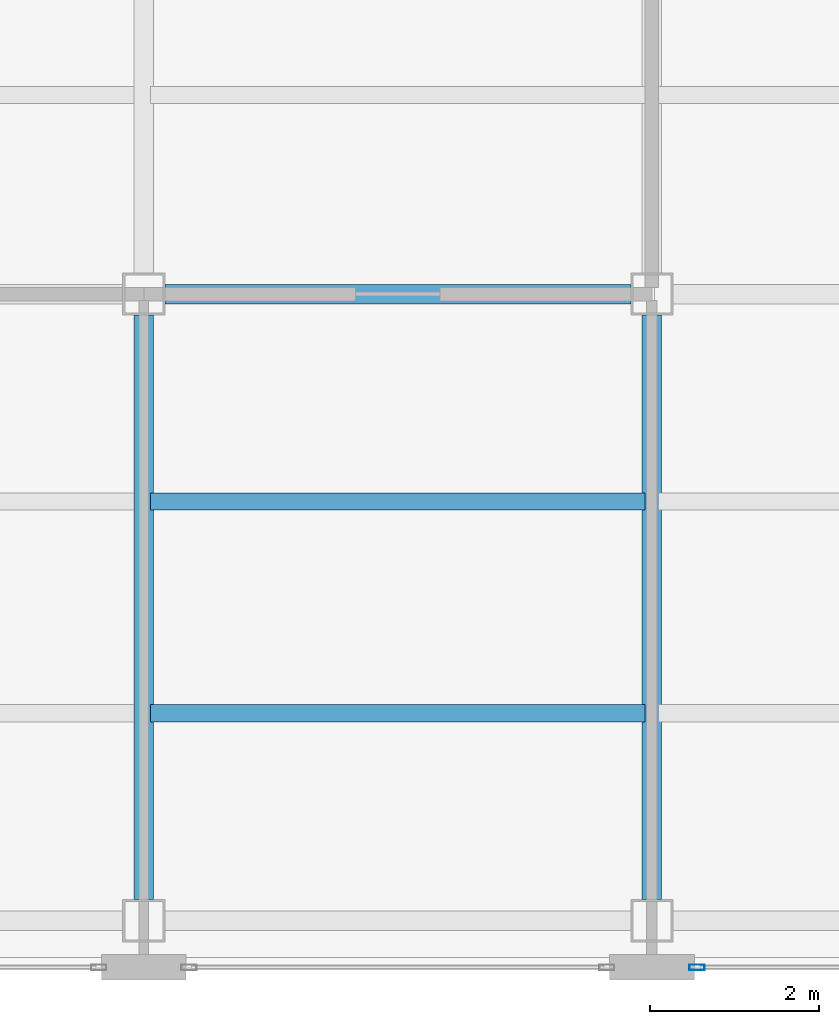
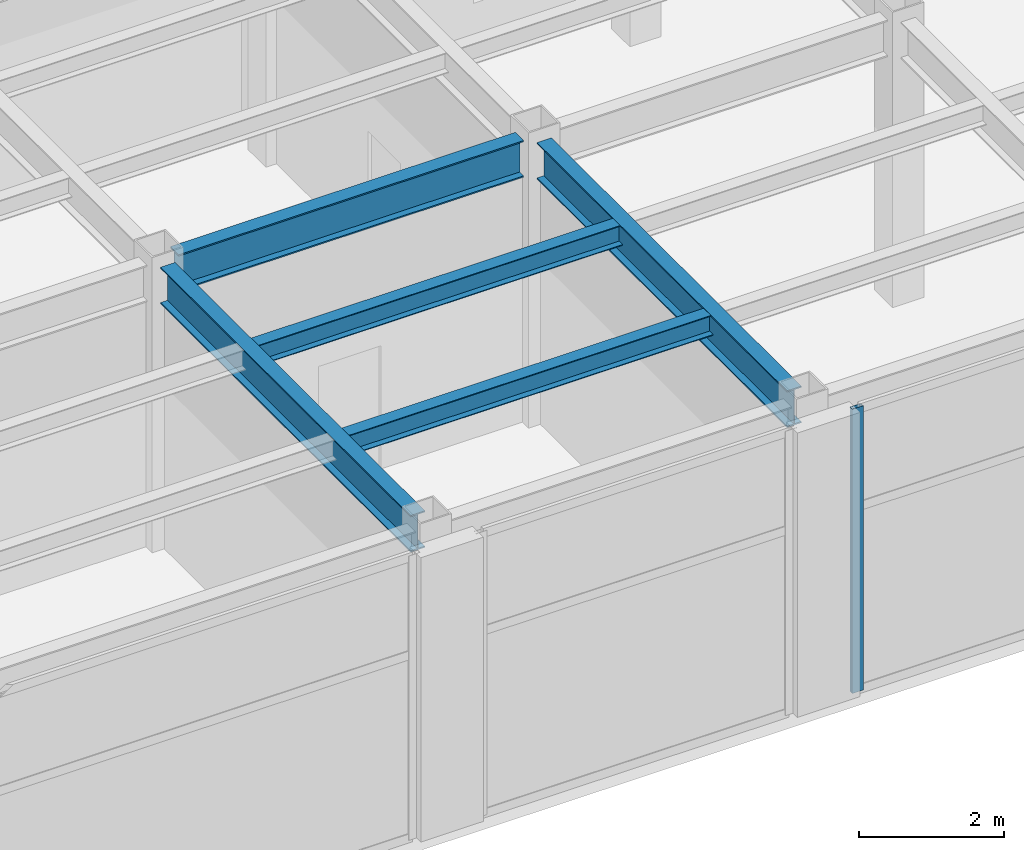
# One storey, part 5 of 23: 5 beams, 1 member, 1 element without a shape of its own.
"""IFC4 building model written with IfcOpenShell, lengths in metres."""

import ifcopenshell
import ifcopenshell.guid

model = None  # the IFC model being written
_history = None  # IfcOwnerHistory: only IFC2X3 demands one
_inside = {}  # id of a spatial element -> (the spatial element, [elements in it])
_under = {}  # id of a project, library or spatial element -> (it, [spatial elements below it])
_declared = {}  # id of a project -> (the project, [libraries it declares])
_typed = {}  # id of a type object -> (the type object, [elements of that type])
_made_of = {}  # id of a material, layer set ... -> (it, [elements and type objects made of it])


def new_model(schema):
    """Start an empty IFC model of exactly this schema.

    Asked for "IFC4X3", IfcOpenShell would pick the latest addendum, in which some entities
    have other attributes; the version numbers below select the first issue.
    IFC2X3 requires an IfcOwnerHistory on every rooted entity: one is made here for all.
    """
    global model, _history
    if schema == "IFC4X3":
        model = ifcopenshell.file(schema_version=(4, 3, 0, 0))
    else:
        model = ifcopenshell.file(schema=schema)
    _inside.clear()
    _under.clear()
    _declared.clear()
    _typed.clear()
    _made_of.clear()
    _history = None
    if model.schema == "IFC2X3":
        org = make("IfcOrganization", Name="unknown")
        user = make(
            "IfcPersonAndOrganization",
            ThePerson=make("IfcPerson", FamilyName="unknown"),
            TheOrganization=org,
        )
        app = make(
            "IfcApplication",
            ApplicationDeveloper=org,
            Version="unknown",
            ApplicationFullName="unknown",
            ApplicationIdentifier="unknown",
        )
        _history = make(
            "IfcOwnerHistory",
            OwningUser=user,
            OwningApplication=app,
            ChangeAction="ADDED",
            CreationDate=0,
        )
    return model


def make(cls, **values):
    """One entity of the class cls with the attributes given. An attribute that is None is left unset."""
    return model.create_entity(
        cls, **{name: value for name, value in values.items() if value is not None}
    )


def rooted(cls, **values):
    """An entity with a GlobalId (a new one), such as an element, a storey or a relation."""
    return make(cls, GlobalId=ifcopenshell.guid.new(), OwnerHistory=_history, **values)


def si_unit(unit_type, name, prefix=None):
    """IfcSIUnit, for example si_unit("LENGTHUNIT", "METRE", prefix="MILLI")."""
    return make("IfcSIUnit", UnitType=unit_type, Prefix=prefix, Name=name)


def assignment(units):
    """IfcUnitAssignment: the units of a project."""
    return None if units is None else make("IfcUnitAssignment", Units=units)


def point(xyz):
    """IfcCartesianPoint."""
    return None if xyz is None else make("IfcCartesianPoint", Coordinates=xyz)


def direction(xyz):
    """IfcDirection."""
    return None if xyz is None else make("IfcDirection", DirectionRatios=xyz)


def frame(location, z_axis=None, x_axis=None):
    """IfcAxis2Placement3D, a coordinate frame: its origin and axes. An axis left out is left unset."""
    return make(
        "IfcAxis2Placement3D",
        Location=point(location),
        Axis=direction(z_axis),
        RefDirection=direction(x_axis),
    )


def frame_2d(location, x_axis=None):
    """IfcAxis2Placement2D, a coordinate frame in the plane: its origin and x axis."""
    return make(
        "IfcAxis2Placement2D", Location=point(location), RefDirection=direction(x_axis)
    )


def origin():
    """The frame at (0, 0, 0) with its axes left unset."""
    return frame((0.0, 0.0, 0.0))


def origin_2d():
    """The frame at (0, 0) in the plane with its x axis left unset."""
    return frame_2d((0.0, 0.0))


def place(relative_to, where):
    """IfcLocalPlacement: puts the frame where relative to a parent placement (None: the world)."""
    return make(
        "IfcLocalPlacement", PlacementRelTo=relative_to, RelativePlacement=where
    )


def context(
    kind, dimensions, precision=None, world=None, true_north=None, identifier=None
):
    """IfcGeometricRepresentationContext, for example the 3D "Model" context."""
    return make(
        "IfcGeometricRepresentationContext",
        ContextIdentifier=identifier,
        ContextType=kind,
        CoordinateSpaceDimension=dimensions,
        Precision=precision,
        WorldCoordinateSystem=world,
        TrueNorth=true_north,
    )


def subcontext(parent, identifier, kind, view, scale=None):
    """IfcGeometricRepresentationSubContext, for example "Body" below "Model"."""
    return make(
        "IfcGeometricRepresentationSubContext",
        ContextIdentifier=identifier,
        ContextType=kind,
        ParentContext=parent,
        TargetScale=scale,
        TargetView=view,
    )


def project(units=None, contexts=None):
    """IfcProject with its units and contexts."""
    return rooted(
        "IfcProject",
        Name="project",
        RepresentationContexts=contexts,
        UnitsInContext=assignment(units),
    )


def spatial(cls, under=None, at=None, **own):
    """A site, building, storey or space (cls), placed at a placement, below another one or the project."""
    s = rooted(cls, ObjectPlacement=at, **own)
    if under is not None:
        _under.setdefault(under.id(), (under, []))[1].append(s)
    return s


def profile(cls, at=None, kind="AREA", **sizes):
    """A parametric profile (cls). Its sizes go by their IFC names, for example OverallWidth=200.0."""
    return make(cls, ProfileType=kind, Position=at, **sizes)


def hollow_rectangle(**sizes):
    """IfcRectangleHollowProfileDef."""
    return profile("IfcRectangleHollowProfileDef", **sizes)


def i_section(**sizes):
    """IfcIShapeProfileDef."""
    return profile("IfcIShapeProfileDef", **sizes)


def extrude(swept, where, along, depth):
    """IfcExtrudedAreaSolid: the profile swept, set in the frame where, extruded along a direction by depth."""
    return make(
        "IfcExtrudedAreaSolid",
        SweptArea=swept,
        Position=where,
        ExtrudedDirection=direction(along),
        Depth=depth,
    )


def shape(context_of_items, identifier, shape_type, items):
    """IfcShapeRepresentation: the items that make up one representation, for example the "Body"."""
    return make(
        "IfcShapeRepresentation",
        ContextOfItems=context_of_items,
        RepresentationIdentifier=identifier,
        RepresentationType=shape_type,
        Items=items,
    )


def material(Name=None, Category=None):
    """IfcMaterial."""
    return make("IfcMaterial", Name=Name, Category=Category)


def layer(
    of_material, thickness, ventilated=None, Name=None, Category=None, Priority=None
):
    """IfcMaterialLayer: one layer of a wall or slab, of a material (None: an air gap)."""
    return make(
        "IfcMaterialLayer",
        Material=of_material,
        LayerThickness=thickness,
        IsVentilated=ventilated,
        Name=Name,
        Category=Category,
        Priority=Priority,
    )


def layer_set(layers, Name=None):
    """IfcMaterialLayerSet."""
    return make("IfcMaterialLayerSet", MaterialLayers=layers, LayerSetName=Name)


def material_profile(
    of_material, cross_section, Name=None, Category=None, Priority=None
):
    """IfcMaterialProfile: a cross section and its material."""
    return make(
        "IfcMaterialProfile",
        Name=Name,
        Material=of_material,
        Profile=cross_section,
        Priority=Priority,
        Category=Category,
    )


def profile_set(profiles, Name=None, composite=None):
    """IfcMaterialProfileSet."""
    return make(
        "IfcMaterialProfileSet",
        Name=Name,
        MaterialProfiles=profiles,
        CompositeProfile=composite,
    )


def made_of(thing, what):
    """Note that an element or type object is made of a material, layer set ...; save() writes the relation."""
    if what is not None:
        _made_of.setdefault(what.id(), (what, []))[1].append(thing)
    return thing


def type_object(cls, material=None, **own):
    """A type object (cls), such as IfcWallType, which elements share."""
    return made_of(rooted(cls, **own), material)


def element(
    cls,
    number,
    at=None,
    inside=None,
    cuts=None,
    type_object=None,
    material=None,
    context=None,
    identifier="Body",
    shape_type=None,
    held_by="IfcProductDefinitionShape",
    body=None,
    shapes=None,
    **own,
):
    """One element of the class cls, such as IfcWall. Its Tag is "e" and its number.

    at: its placement. inside: the storey or other place that contains it. cuts: it is an
    opening in that element (IfcRelVoidsElement). A single representation is given by context,
    identifier, shape_type and body (its items); several are given by shapes. held_by: the class
    of the entity that holds the representations. save() writes the other relations.
    """
    e = rooted(cls, Tag="e%d" % number, ObjectPlacement=at, **own)
    if body is not None:
        shapes = [shape(context, identifier, shape_type, body)]
    if shapes is not None:
        e.Representation = make(held_by, Representations=shapes)
    if inside is not None:
        _inside.setdefault(inside.id(), (inside, []))[1].append(e)
    if cuts is not None:
        rooted(
            "IfcRelVoidsElement", RelatingBuildingElement=cuts, RelatedOpeningElement=e
        )
    if type_object is not None:
        _typed.setdefault(type_object.id(), (type_object, []))[1].append(e)
    return made_of(e, material)


def aggregate(whole, parts):
    """IfcRelAggregates: a whole, such as a stair, and the parts it consists of."""
    return rooted("IfcRelAggregates", RelatingObject=whole, RelatedObjects=parts)


def save(model, path):
    """Write the relations noted so far, then the file.

    IfcRelAggregates (storeys below a building ...), IfcRelContainedInSpatialStructure (elements
    in a storey), IfcRelDefinesByType, IfcRelAssociatesMaterial and IfcRelDeclares: one each for
    every whole, place, type object, material and project.
    """
    for whole, parts in _under.values():
        aggregate(whole, parts)
    for where, things in _inside.values():
        rooted(
            "IfcRelContainedInSpatialStructure",
            RelatedElements=things,
            RelatingStructure=where,
        )
    for kind, things in _typed.values():
        rooted("IfcRelDefinesByType", RelatedObjects=things, RelatingType=kind)
    for what, things in _made_of.values():
        rooted("IfcRelAssociatesMaterial", RelatedObjects=things, RelatingMaterial=what)
    for by, libraries in _declared.values():
        rooted("IfcRelDeclares", RelatingContext=by, RelatedDefinitions=libraries)
    model.write(path)


model = new_model("IFC4")

# Units and contexts
model_context = context("Model", 3, precision=1e-05, world=origin(), true_north=direction((0.0, 1.0)))
body_context = subcontext(model_context, "Body", "Model", "MODEL_VIEW")
ifc_project = project(units=[si_unit("LENGTHUNIT", "METRE"), si_unit("AREAUNIT", "SQUARE_METRE"), si_unit("VOLUMEUNIT", "CUBIC_METRE"), si_unit("PLANEANGLEUNIT", "RADIAN"), si_unit("MASSUNIT", "GRAM", prefix="KILO")], contexts=[model_context])

# Site, building, storey
site_placement = place(None, origin())
site = spatial("IfcSite", under=ifc_project, at=site_placement, CompositionType="ELEMENT")
building_placement = place(site_placement, origin())
building = spatial("IfcBuilding", under=site, at=building_placement, Name="Mawjaban Terraces University", CompositionType="ELEMENT")
storey_placement = place(building_placement, frame((0.0, 0.0, 98.39990234375)))
storey = spatial("IfcBuildingStorey", under=building, at=storey_placement, Name="L23", CompositionType="ELEMENT", Elevation=98.39990234375)

# Beams
ifc_material_1 = material(Name="Steel ASTM A572 Grade 50", Category="steel")
ifc_material_profile_1 = material_profile(ifc_material_1, i_section(OverallWidth=0.22998046875, OverallDepth=0.616943359375, WebThickness=0.01318359375, FlangeThickness=0.022216796875, at=origin_2d()), Name="W610X140")
ifc_profile_set_1 = profile_set([ifc_material_profile_1], Name="Steel ASTM A572 Grade 50")
beam_type_1 = type_object("IfcBeamType", Name="Beam_B_W610X140", PredefinedType="BEAM", material=ifc_profile_set_1)
beam_placement = place(storey_placement, frame((46.25, 7.949951171875, 4.482177734375), z_axis=(1.0, 0.0, 0.0), x_axis=(0.0, 1.0, 0.0)))
element("IfcBeam", 1, at=beam_placement, inside=storey, type_object=beam_type_1, Name="L23 Beam BM-L23-EW-06", PredefinedType="BEAM", context=body_context, shape_type="SweptSolid", body=[
    extrude(i_section(OverallWidth=0.22998046875, OverallDepth=0.616943359375, WebThickness=0.01318359375, FlangeThickness=0.022216796875, at=origin_2d()), origin(), (0.0, 0.0, 1.0), 5.5),
])
for number, where, z_axis, x_axis, name in (
    (2, (46.0, 0.800048828125, 4.482177734375), (0.0, 1.0, 0.0), (-1.0, 0.0, 0.0), "L23 Beam BM-L23-NS-12"),
    (3, (52.0, 0.800048828125, 4.482177734375), (0.0, 1.0, 0.0), (-1.0, 0.0, 0.0), "L23 Beam BM-L23-NS-14"),
):
    element("IfcBeam", number, at=place(storey_placement, frame(where, z_axis=z_axis, x_axis=x_axis)), inside=storey, type_object=beam_type_1, Name=name, PredefinedType="BEAM", context=body_context, shape_type="SweptSolid", body=[
        extrude(i_section(OverallWidth=0.22998046875, OverallDepth=0.616943359375, WebThickness=0.01318359375, FlangeThickness=0.022216796875, at=origin_2d()), origin(), (0.0, 0.0, 1.0), 6.89990234375),
    ])
ifc_material_profile_2 = material_profile(ifc_material_1, i_section(OverallWidth=0.202880859375, OverallDepth=0.346923828125, WebThickness=0.0078125, FlangeThickness=0.013427734375, at=origin_2d()), Name="W360X64")
ifc_profile_set_2 = profile_set([ifc_material_profile_2], Name="Steel ASTM A572 Grade 50")
beam_type_2 = type_object("IfcBeamType", Name="Beam_J_W360X64", PredefinedType="JOIST", material=ifc_profile_set_2)
for number, where, z_axis, x_axis, name in (
    (4, (46.080078125, 3.0, 4.6162109375), (1.0, 0.0, 0.0), (0.0, 1.0, 0.0), "L23 Composite Joist JST-L23-02"),
    (5, (46.080078125, 5.5, 4.6162109375), (1.0, 0.0, 0.0), (0.0, 1.0, 0.0), "L23 Composite Joist JST-L23-06"),
):
    element("IfcBeam", number, at=place(storey_placement, frame(where, z_axis=z_axis, x_axis=x_axis)), inside=storey, type_object=beam_type_2, Name=name, PredefinedType="JOIST", context=body_context, shape_type="SweptSolid", body=[
        extrude(i_section(OverallWidth=0.202880859375, OverallDepth=0.346923828125, WebThickness=0.0078125, FlangeThickness=0.013427734375, at=origin_2d()), origin(), (0.0, 0.0, 1.0), 5.83984375),
    ])

# Curtain wall, member
ifc_material_2 = material(Name="Anodised aluminium 6063-T6 and solar-control low-E glass", Category="aluminium")
ifc_layer = layer(ifc_material_2, 0.18994140625)
ifc_layer_set = layer_set([ifc_layer], Name="Anodised aluminium 6063-T6 and solar-control low-E glass")
curtain_wall_type = type_object("IfcCurtainWallType", Name="CWSystem_05_SkyLobby", PredefinedType="NOTDEFINED", material=ifc_layer_set)
curtain_wall_placement = place(storey_placement, origin())
curtain_wall = element("IfcCurtainWall", 6, at=curtain_wall_placement, inside=storey, type_object=curtain_wall_type, Name="L23 Curtain Wall CW-05 Run 1.4", PredefinedType="NOTDEFINED")
ifc_material_3 = material(Name="Anodised aluminium 6063-T6", Category="aluminium")
ifc_material_profile_3 = material_profile(ifc_material_3, hollow_rectangle(XDim=0.06494140625, YDim=0.179931640625, WallThickness=0.00390625, at=origin_2d()), Name="ALU180X65X4")
ifc_profile_set_3 = profile_set([ifc_material_profile_3], Name="Anodised aluminium 6063-T6")
member_type = type_object("IfcMemberType", Name="Mullion_CW-05", PredefinedType="MULLION", material=ifc_profile_set_3)
member_placement = place(storey_placement, frame((52.532470703125, 0.0, 0.0), z_axis=(0.0, 0.0, 1.0), x_axis=(0.0, 1.0, 0.0)))
member = element("IfcMember", 7, at=member_placement, type_object=member_type, Name="CW-05 mullion 1", PredefinedType="MULLION", context=body_context, shape_type="SweptSolid", body=[
    extrude(hollow_rectangle(XDim=0.06494140625, YDim=0.179931640625, WallThickness=0.00390625, at=origin_2d()), origin(), (0.0, 0.0, 1.0), 4.7900390625),
])
aggregate(curtain_wall, [member])

save(model, "model.ifc")
